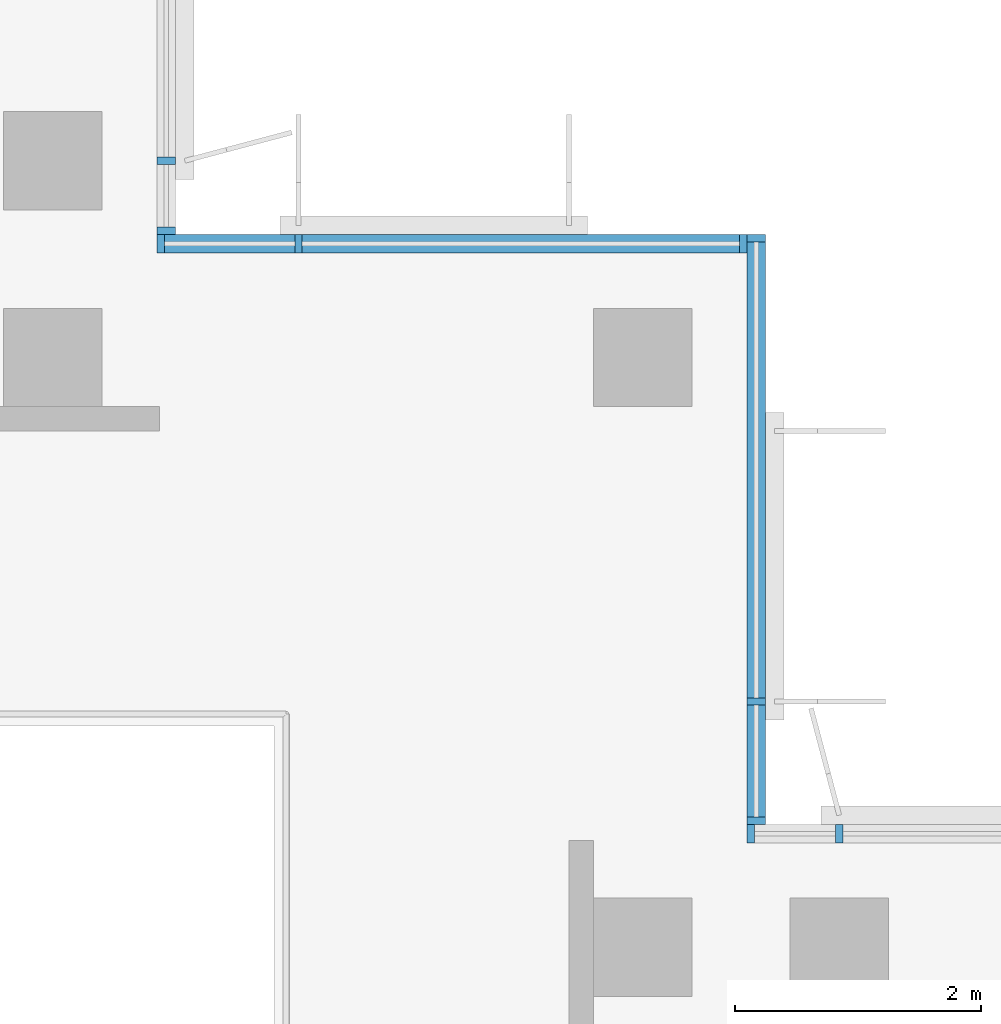
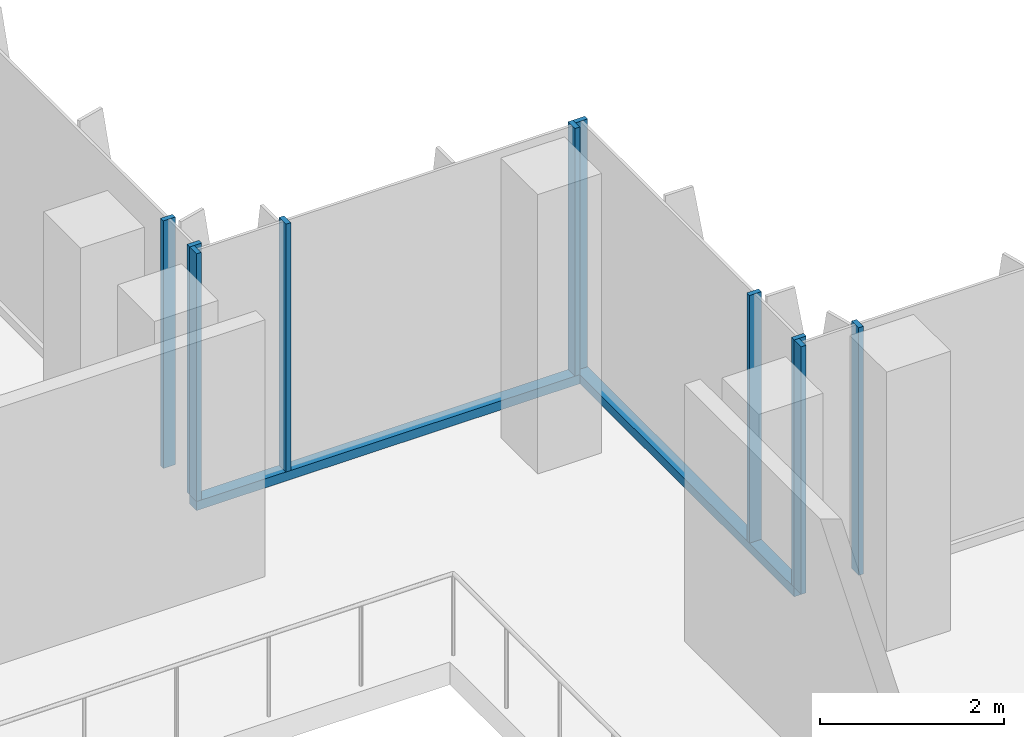
# One storey, part 2 of 16: 12 members, 4 elements without a shape of their own.
"""IFC4 building model written with IfcOpenShell, lengths in metres."""

import ifcopenshell
import ifcopenshell.guid

model = None  # the IFC model being written
_history = None  # IfcOwnerHistory: only IFC2X3 demands one
_inside = {}  # id of a spatial element -> (the spatial element, [elements in it])
_under = {}  # id of a project, library or spatial element -> (it, [spatial elements below it])
_declared = {}  # id of a project -> (the project, [libraries it declares])
_typed = {}  # id of a type object -> (the type object, [elements of that type])
_made_of = {}  # id of a material, layer set ... -> (it, [elements and type objects made of it])


def new_model(schema):
    """Start an empty IFC model of exactly this schema.

    Asked for "IFC4X3", IfcOpenShell would pick the latest addendum, in which some entities
    have other attributes; the version numbers below select the first issue.
    IFC2X3 requires an IfcOwnerHistory on every rooted entity: one is made here for all.
    """
    global model, _history
    if schema == "IFC4X3":
        model = ifcopenshell.file(schema_version=(4, 3, 0, 0))
    else:
        model = ifcopenshell.file(schema=schema)
    _inside.clear()
    _under.clear()
    _declared.clear()
    _typed.clear()
    _made_of.clear()
    _history = None
    if model.schema == "IFC2X3":
        org = make("IfcOrganization", Name="unknown")
        user = make(
            "IfcPersonAndOrganization",
            ThePerson=make("IfcPerson", FamilyName="unknown"),
            TheOrganization=org,
        )
        app = make(
            "IfcApplication",
            ApplicationDeveloper=org,
            Version="unknown",
            ApplicationFullName="unknown",
            ApplicationIdentifier="unknown",
        )
        _history = make(
            "IfcOwnerHistory",
            OwningUser=user,
            OwningApplication=app,
            ChangeAction="ADDED",
            CreationDate=0,
        )
    return model


def make(cls, **values):
    """One entity of the class cls with the attributes given. An attribute that is None is left unset."""
    return model.create_entity(
        cls, **{name: value for name, value in values.items() if value is not None}
    )


def rooted(cls, **values):
    """An entity with a GlobalId (a new one), such as an element, a storey or a relation."""
    return make(cls, GlobalId=ifcopenshell.guid.new(), OwnerHistory=_history, **values)


def si_unit(unit_type, name, prefix=None):
    """IfcSIUnit, for example si_unit("LENGTHUNIT", "METRE", prefix="MILLI")."""
    return make("IfcSIUnit", UnitType=unit_type, Prefix=prefix, Name=name)


def assignment(units):
    """IfcUnitAssignment: the units of a project."""
    return None if units is None else make("IfcUnitAssignment", Units=units)


def point(xyz):
    """IfcCartesianPoint."""
    return None if xyz is None else make("IfcCartesianPoint", Coordinates=xyz)


def direction(xyz):
    """IfcDirection."""
    return None if xyz is None else make("IfcDirection", DirectionRatios=xyz)


def frame(location, z_axis=None, x_axis=None):
    """IfcAxis2Placement3D, a coordinate frame: its origin and axes. An axis left out is left unset."""
    return make(
        "IfcAxis2Placement3D",
        Location=point(location),
        Axis=direction(z_axis),
        RefDirection=direction(x_axis),
    )


def frame_2d(location, x_axis=None):
    """IfcAxis2Placement2D, a coordinate frame in the plane: its origin and x axis."""
    return make(
        "IfcAxis2Placement2D", Location=point(location), RefDirection=direction(x_axis)
    )


def origin():
    """The frame at (0, 0, 0) with its axes left unset."""
    return frame((0.0, 0.0, 0.0))


def origin_2d():
    """The frame at (0, 0) in the plane with its x axis left unset."""
    return frame_2d((0.0, 0.0))


def place(relative_to, where):
    """IfcLocalPlacement: puts the frame where relative to a parent placement (None: the world)."""
    return make(
        "IfcLocalPlacement", PlacementRelTo=relative_to, RelativePlacement=where
    )


def context(
    kind, dimensions, precision=None, world=None, true_north=None, identifier=None
):
    """IfcGeometricRepresentationContext, for example the 3D "Model" context."""
    return make(
        "IfcGeometricRepresentationContext",
        ContextIdentifier=identifier,
        ContextType=kind,
        CoordinateSpaceDimension=dimensions,
        Precision=precision,
        WorldCoordinateSystem=world,
        TrueNorth=true_north,
    )


def subcontext(parent, identifier, kind, view, scale=None):
    """IfcGeometricRepresentationSubContext, for example "Body" below "Model"."""
    return make(
        "IfcGeometricRepresentationSubContext",
        ContextIdentifier=identifier,
        ContextType=kind,
        ParentContext=parent,
        TargetScale=scale,
        TargetView=view,
    )


def project(units=None, contexts=None):
    """IfcProject with its units and contexts."""
    return rooted(
        "IfcProject",
        Name="project",
        RepresentationContexts=contexts,
        UnitsInContext=assignment(units),
    )


def spatial(cls, under=None, at=None, **own):
    """A site, building, storey or space (cls), placed at a placement, below another one or the project."""
    s = rooted(cls, ObjectPlacement=at, **own)
    if under is not None:
        _under.setdefault(under.id(), (under, []))[1].append(s)
    return s


def profile(cls, at=None, kind="AREA", **sizes):
    """A parametric profile (cls). Its sizes go by their IFC names, for example OverallWidth=200.0."""
    return make(cls, ProfileType=kind, Position=at, **sizes)


def rectangle(**sizes):
    """IfcRectangleProfileDef."""
    return profile("IfcRectangleProfileDef", **sizes)


def extrude(swept, where, along, depth):
    """IfcExtrudedAreaSolid: the profile swept, set in the frame where, extruded along a direction by depth."""
    return make(
        "IfcExtrudedAreaSolid",
        SweptArea=swept,
        Position=where,
        ExtrudedDirection=direction(along),
        Depth=depth,
    )


def shape(context_of_items, identifier, shape_type, items):
    """IfcShapeRepresentation: the items that make up one representation, for example the "Body"."""
    return make(
        "IfcShapeRepresentation",
        ContextOfItems=context_of_items,
        RepresentationIdentifier=identifier,
        RepresentationType=shape_type,
        Items=items,
    )


def source(mapping_origin, context_of_items, identifier, shape_type, items):
    """IfcRepresentationMap: a shape defined once, which mapped items show again and again."""
    return make(
        "IfcRepresentationMap",
        MappingOrigin=mapping_origin,
        MappedRepresentation=shape(context_of_items, identifier, shape_type, items),
    )


def transform(
    local_origin,
    x_axis=None,
    y_axis=None,
    z_axis=None,
    scale=None,
    scale2=None,
    scale3=None,
    uniform=True,
):
    """IfcCartesianTransformationOperator3D, or its non-uniform kind. x_axis, y_axis, z_axis: its Axis1, 2, 3."""
    if uniform:
        return make(
            "IfcCartesianTransformationOperator3D",
            Axis1=direction(x_axis),
            Axis2=direction(y_axis),
            LocalOrigin=point(local_origin),
            Scale=scale,
            Axis3=direction(z_axis),
        )
    return make(
        "IfcCartesianTransformationOperator3DnonUniform",
        Axis1=direction(x_axis),
        Axis2=direction(y_axis),
        LocalOrigin=point(local_origin),
        Scale=scale,
        Axis3=direction(z_axis),
        Scale2=scale2,
        Scale3=scale3,
    )


def mapped(mapping_source, mapping_target):
    """IfcMappedItem: shows the shape of a source again, moved by a transform."""
    return make(
        "IfcMappedItem", MappingSource=mapping_source, MappingTarget=mapping_target
    )


def material(Name=None, Category=None):
    """IfcMaterial."""
    return make("IfcMaterial", Name=Name, Category=Category)


def material_profile(
    of_material, cross_section, Name=None, Category=None, Priority=None
):
    """IfcMaterialProfile: a cross section and its material."""
    return make(
        "IfcMaterialProfile",
        Name=Name,
        Material=of_material,
        Profile=cross_section,
        Priority=Priority,
        Category=Category,
    )


def profile_set(profiles, Name=None, composite=None):
    """IfcMaterialProfileSet."""
    return make(
        "IfcMaterialProfileSet",
        Name=Name,
        MaterialProfiles=profiles,
        CompositeProfile=composite,
    )


def made_of(thing, what):
    """Note that an element or type object is made of a material, layer set ...; save() writes the relation."""
    if what is not None:
        _made_of.setdefault(what.id(), (what, []))[1].append(thing)
    return thing


def type_object(cls, material=None, **own):
    """A type object (cls), such as IfcWallType, which elements share."""
    return made_of(rooted(cls, **own), material)


def element(
    cls,
    number,
    at=None,
    inside=None,
    cuts=None,
    type_object=None,
    material=None,
    context=None,
    identifier="Body",
    shape_type=None,
    held_by="IfcProductDefinitionShape",
    body=None,
    shapes=None,
    **own,
):
    """One element of the class cls, such as IfcWall. Its Tag is "e" and its number.

    at: its placement. inside: the storey or other place that contains it. cuts: it is an
    opening in that element (IfcRelVoidsElement). A single representation is given by context,
    identifier, shape_type and body (its items); several are given by shapes. held_by: the class
    of the entity that holds the representations. save() writes the other relations.
    """
    e = rooted(cls, Tag="e%d" % number, ObjectPlacement=at, **own)
    if body is not None:
        shapes = [shape(context, identifier, shape_type, body)]
    if shapes is not None:
        e.Representation = make(held_by, Representations=shapes)
    if inside is not None:
        _inside.setdefault(inside.id(), (inside, []))[1].append(e)
    if cuts is not None:
        rooted(
            "IfcRelVoidsElement", RelatingBuildingElement=cuts, RelatedOpeningElement=e
        )
    if type_object is not None:
        _typed.setdefault(type_object.id(), (type_object, []))[1].append(e)
    return made_of(e, material)


def aggregate(whole, parts):
    """IfcRelAggregates: a whole, such as a stair, and the parts it consists of."""
    return rooted("IfcRelAggregates", RelatingObject=whole, RelatedObjects=parts)


def save(model, path):
    """Write the relations noted so far, then the file.

    IfcRelAggregates (storeys below a building ...), IfcRelContainedInSpatialStructure (elements
    in a storey), IfcRelDefinesByType, IfcRelAssociatesMaterial and IfcRelDeclares: one each for
    every whole, place, type object, material and project.
    """
    for whole, parts in _under.values():
        aggregate(whole, parts)
    for where, things in _inside.values():
        rooted(
            "IfcRelContainedInSpatialStructure",
            RelatedElements=things,
            RelatingStructure=where,
        )
    for kind, things in _typed.values():
        rooted("IfcRelDefinesByType", RelatedObjects=things, RelatingType=kind)
    for what, things in _made_of.values():
        rooted("IfcRelAssociatesMaterial", RelatedObjects=things, RelatingMaterial=what)
    for by, libraries in _declared.values():
        rooted("IfcRelDeclares", RelatingContext=by, RelatedDefinitions=libraries)
    model.write(path)


model = new_model("IFC4")

# Units and contexts
model_context = context("Model", 3, precision=1e-05, world=origin(), true_north=direction((0.0, 1.0)))
body_context = subcontext(model_context, "Body", "Model", "MODEL_VIEW")
ifc_project = project(units=[si_unit("LENGTHUNIT", "METRE"), si_unit("AREAUNIT", "SQUARE_METRE"), si_unit("VOLUMEUNIT", "CUBIC_METRE"), si_unit("PLANEANGLEUNIT", "RADIAN"), si_unit("MASSUNIT", "GRAM", prefix="KILO")], contexts=[model_context])

# Site, building, storey
site_placement = place(None, origin())
site = spatial("IfcSite", under=ifc_project, at=site_placement, CompositionType="ELEMENT")
building_placement = place(site_placement, origin())
building = spatial("IfcBuilding", under=site, at=building_placement, Name="Kemantara Hotel Tower", CompositionType="ELEMENT")
storey_placement = place(building_placement, frame((0.0, 0.0, 287.0)))
storey = spatial("IfcBuildingStorey", under=building, at=storey_placement, Name="L72", CompositionType="ELEMENT", Elevation=287.0)

# Curtain wall, member
ifc_material_1 = material(Name="Low-E tinted double insulated glass 36 mm", Category="glass")
curtain_wall_type = type_object("IfcCurtainWallType", Name="TOWER CURTAIN WALL, FRONT FACES", PredefinedType="USERDEFINED", material=ifc_material_1)
curtain_wall_1_placement = place(storey_placement, origin())
curtain_wall_1 = element("IfcCurtainWall", 1, at=curtain_wall_1_placement, inside=storey, type_object=curtain_wall_type, Name="CW4 L72 T4-R13-1", ObjectType="TOWER CURTAIN WALL, FRONT FACES", PredefinedType="USERDEFINED")
ifc_material_2 = material(Name="Aluminium 6063-T6 bronze anodised", Category="aluminium")
ifc_material_profile_1 = material_profile(ifc_material_2, rectangle(XDim=0.14990234375, YDim=0.1201171875, at=origin_2d()), Name="TOWER CURTAIN WALL, FRONT FACES TRANSOM")
ifc_profile_set_1 = profile_set([ifc_material_profile_1], Name="Aluminium 6063-T6 bronze anodised")
member_type_1 = type_object("IfcMemberType", Name="TOWER CURTAIN WALL, FRONT FACES TRANSOM", PredefinedType="USERDEFINED", material=ifc_profile_set_1)
member_1_placement = place(storey_placement, frame((26.72509765625, 22.0, 0.06005859375), z_axis=(0.0, 1.0, 0.0), x_axis=(-1.0, 0.0, 0.0)))
member_1 = element("IfcMember", 2, at=member_1_placement, type_object=member_type_1, Name="CW4 sill transom T4-R13-1", ObjectType="TRANSOM", PredefinedType="USERDEFINED", context=body_context, shape_type="SweptSolid", body=[
    extrude(rectangle(XDim=0.14990234375, YDim=0.1201171875, at=origin_2d()), origin(), (0.0, 0.0, 1.0), 4.800048828125),
])

curtain_wall_2_placement = place(storey_placement, origin())
curtain_wall_2 = element("IfcCurtainWall", 3, at=curtain_wall_2_placement, inside=storey, type_object=curtain_wall_type, Name="CW4 L72 T4-R14-1", ObjectType="TOWER CURTAIN WALL, FRONT FACES", PredefinedType="USERDEFINED")
member_2_placement = place(storey_placement, frame((26.64990234375, 26.72509765625, 0.06005859375), z_axis=(-1.0, 0.0, 0.0), x_axis=(0.0, -1.0, 0.0)))
member_2 = element("IfcMember", 4, at=member_2_placement, type_object=member_type_1, Name="CW4 sill transom T4-R14-1", ObjectType="TRANSOM", PredefinedType="USERDEFINED", context=body_context, shape_type="SweptSolid", body=[
    extrude(rectangle(XDim=0.14990234375, YDim=0.1201171875, at=origin_2d()), origin(), (0.0, 0.0, 1.0), 4.7998046875),
])

# Curtain wall, members
curtain_wall_3_placement = place(storey_placement, origin())
curtain_wall_3 = element("IfcCurtainWall", 5, at=curtain_wall_3_placement, inside=storey, type_object=curtain_wall_type, Name="CW4 L72 T4-R12-1", ObjectType="TOWER CURTAIN WALL, FRONT FACES", PredefinedType="USERDEFINED")
ifc_material_profile_2 = material_profile(ifc_material_2, rectangle(XDim=0.14990234375, YDim=0.06005859375, at=origin_2d()), Name="TOWER CURTAIN WALL, FRONT FACES MULLION")
ifc_profile_set_2 = profile_set([ifc_material_profile_2], Name="Aluminium 6063-T6 bronze anodised")
member_type_2 = type_object("IfcMemberType", Name="TOWER CURTAIN WALL, FRONT FACES MULLION", PredefinedType="MULLION", material=ifc_profile_set_2)
shared_shape = source(origin(), body_context, "Body", "SweptSolid", [
    extrude(rectangle(XDim=0.14990234375, YDim=0.06005859375, at=origin_2d()), origin(), (0.0, 0.0, 1.0), 3.27978515625),
])
member_3_placement = place(storey_placement, frame((27.39990234375, 21.925048828125, 0.1201171875), z_axis=(0.0, 0.0, 1.0), x_axis=(0.0, -1.0, 0.0)))
member_3 = element("IfcMember", 6, at=member_3_placement, type_object=member_type_2, Name="CW4 mullion T4-R12-1.5", PredefinedType="MULLION", context=body_context, shape_type="MappedRepresentation", body=[
    mapped(shared_shape, transform((0.0, 0.0, 0.0))),
])
member_4_placement = place(storey_placement, frame((26.679931640625, 21.925048828125, 0.1201171875), z_axis=(0.0, 0.0, 1.0), x_axis=(0.0, -1.0, 0.0)))
member_4 = element("IfcMember", 7, at=member_4_placement, type_object=member_type_2, Name="CW4 mullion T4-R12-1.6", PredefinedType="MULLION", context=body_context, shape_type="MappedRepresentation", body=[
    mapped(shared_shape, transform((0.0, 0.0, 0.0))),
])
aggregate(curtain_wall_3, [member_3, member_4])

# Member
member_5_placement = place(storey_placement, frame((26.72509765625, 22.030029296875, 0.1201171875), z_axis=(0.0, 0.0, 1.0), x_axis=(-1.0, 0.0, 0.0)))
member_5 = element("IfcMember", 8, at=member_5_placement, type_object=member_type_2, Name="CW4 mullion T4-R13-1.1", PredefinedType="MULLION", context=body_context, shape_type="MappedRepresentation", body=[
    mapped(shared_shape, transform((0.0, 0.0, 0.0))),
])

member_6_placement = place(storey_placement, frame((26.72509765625, 23.0, 0.1201171875), z_axis=(0.0, 0.0, 1.0), x_axis=(-1.0, 0.0, 0.0)))
member_6 = element("IfcMember", 9, at=member_6_placement, type_object=member_type_2, Name="CW4 mullion T4-R13-1.2", PredefinedType="MULLION", context=body_context, shape_type="MappedRepresentation", body=[
    mapped(shared_shape, transform((0.0, 0.0, 0.0))),
])

member_7_placement = place(storey_placement, frame((26.72509765625, 26.77001953125, 0.1201171875), z_axis=(0.0, 0.0, 1.0), x_axis=(-1.0, 0.0, 0.0)))
member_7 = element("IfcMember", 10, at=member_7_placement, type_object=member_type_2, Name="CW4 mullion T4-R13-1.3", PredefinedType="MULLION", context=body_context, shape_type="MappedRepresentation", body=[
    mapped(shared_shape, transform((0.0, 0.0, 0.0))),
])

aggregate(curtain_wall_1, [member_1, member_5, member_6, member_7])

member_8_placement = place(storey_placement, frame((26.6201171875, 26.72509765625, 0.1201171875), z_axis=(0.0, 0.0, 1.0), x_axis=(0.0, -1.0, 0.0)))
member_8 = element("IfcMember", 11, at=member_8_placement, type_object=member_type_2, Name="CW4 mullion T4-R14-1.1", PredefinedType="MULLION", context=body_context, shape_type="MappedRepresentation", body=[
    mapped(shared_shape, transform((0.0, 0.0, 0.0))),
])

member_9_placement = place(storey_placement, frame((23.0, 26.72509765625, 0.1201171875), z_axis=(0.0, 0.0, 1.0), x_axis=(0.0, -1.0, 0.0)))
member_9 = element("IfcMember", 12, at=member_9_placement, type_object=member_type_2, Name="CW4 mullion T4-R14-1.2", PredefinedType="MULLION", context=body_context, shape_type="MappedRepresentation", body=[
    mapped(shared_shape, transform((0.0, 0.0, 0.0))),
])

member_10_placement = place(storey_placement, frame((21.8798828125, 26.72509765625, 0.1201171875), z_axis=(0.0, 0.0, 1.0), x_axis=(0.0, -1.0, 0.0)))
member_10 = element("IfcMember", 13, at=member_10_placement, type_object=member_type_2, Name="CW4 mullion T4-R14-1.3", PredefinedType="MULLION", context=body_context, shape_type="MappedRepresentation", body=[
    mapped(shared_shape, transform((0.0, 0.0, 0.0))),
])

aggregate(curtain_wall_2, [member_2, member_8, member_9, member_10])

# Curtain wall, members
curtain_wall_4_placement = place(storey_placement, origin())
curtain_wall_4 = element("IfcCurtainWall", 14, at=curtain_wall_4_placement, inside=storey, type_object=curtain_wall_type, Name="CW4 L72 T4-R15-1", ObjectType="TOWER CURTAIN WALL, FRONT FACES", PredefinedType="USERDEFINED")
member_11_placement = place(storey_placement, frame((21.925048828125, 26.830078125, 0.1201171875), z_axis=(0.0, 0.0, 1.0), x_axis=(-1.0, 0.0, 0.0)))
member_11 = element("IfcMember", 15, at=member_11_placement, type_object=member_type_2, Name="CW4 mullion T4-R15-1.1", PredefinedType="MULLION", context=body_context, shape_type="MappedRepresentation", body=[
    mapped(shared_shape, transform((0.0, 0.0, 0.0))),
])
member_12_placement = place(storey_placement, frame((21.925048828125, 27.39990234375, 0.1201171875), z_axis=(0.0, 0.0, 1.0), x_axis=(-1.0, 0.0, 0.0)))
member_12 = element("IfcMember", 16, at=member_12_placement, type_object=member_type_2, Name="CW4 mullion T4-R15-1.2", PredefinedType="MULLION", context=body_context, shape_type="MappedRepresentation", body=[
    mapped(shared_shape, transform((0.0, 0.0, 0.0))),
])
aggregate(curtain_wall_4, [member_11, member_12])

save(model, "model.ifc")
